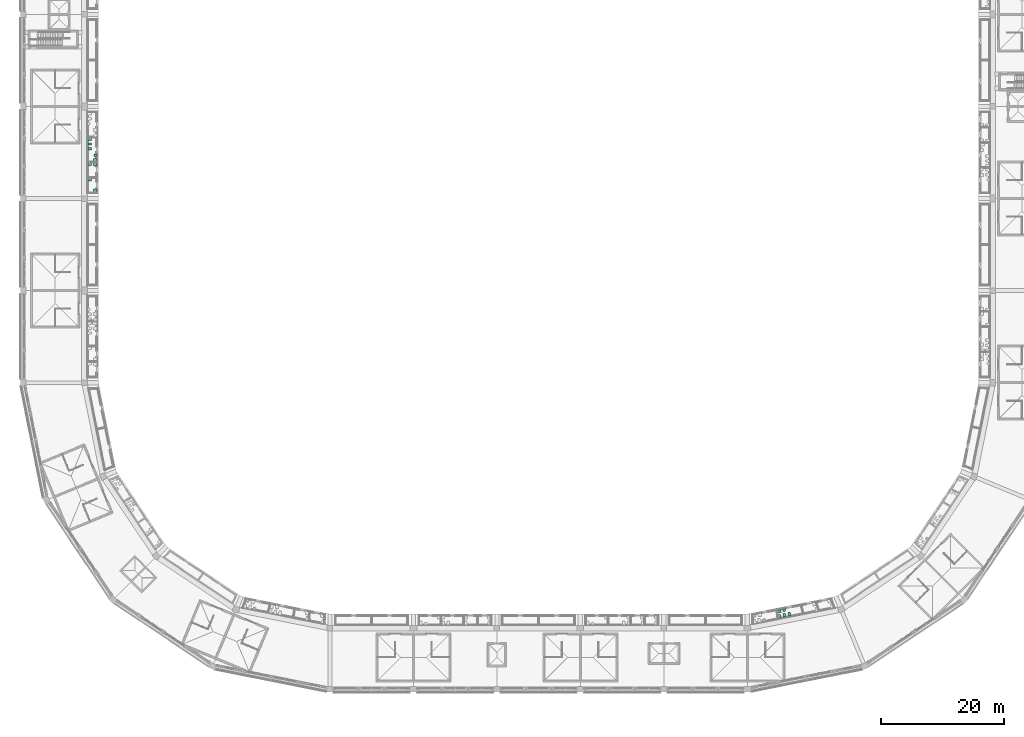
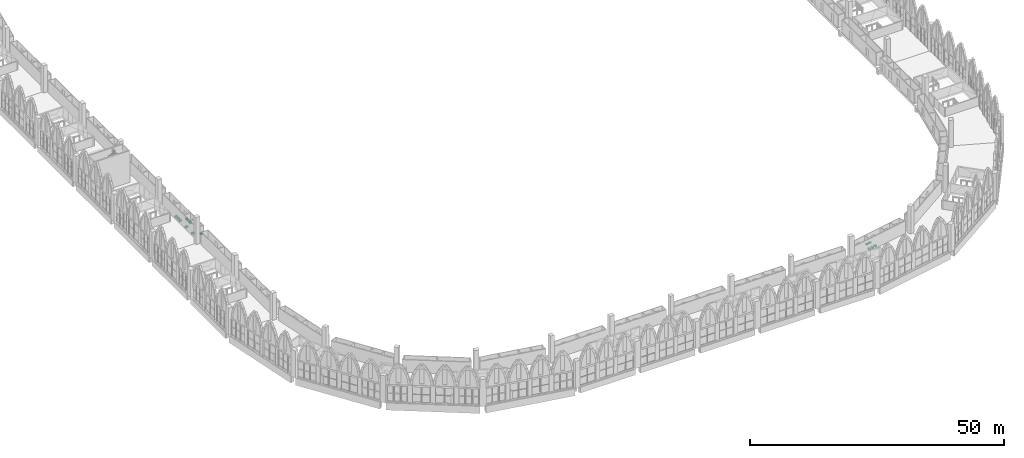
# One storey, part 125 of 130: 14 sanitary terminals.
"""IFC4 building model written with IfcOpenShell, lengths in metres."""

from ifc_helpers import new_model, si_unit, direction, frame, origin, origin_2d, place, context, subcontext, project, spatial, rectangle, extrude, material, type_object, element, save


model = new_model("IFC4")

# Units and contexts
model_context = context("Model", 3, precision=1e-05, world=origin(), true_north=direction((0.0, 1.0)))
body_context = subcontext(model_context, "Body", "Model", "MODEL_VIEW")
ifc_project = project(units=[si_unit("LENGTHUNIT", "METRE"), si_unit("AREAUNIT", "SQUARE_METRE"), si_unit("VOLUMEUNIT", "CUBIC_METRE"), si_unit("PLANEANGLEUNIT", "RADIAN"), si_unit("MASSUNIT", "GRAM", prefix="KILO")], contexts=[model_context])

# Site, building, storey
site_placement = place(None, origin())
site = spatial("IfcSite", under=ifc_project, at=site_placement, CompositionType="ELEMENT")
building_placement = place(site_placement, origin())
building = spatial("IfcBuilding", under=site, at=building_placement, Name="Ogive Plaza Stadium", CompositionType="ELEMENT")
storey_placement = place(building_placement, frame((0.0, 0.0, 22.5)))
storey = spatial("IfcBuildingStorey", under=building, at=storey_placement, Name="L05", CompositionType="ELEMENT", Elevation=22.5)

# Sanitary terminals
ifc_material_1 = material(Name="Vitreous china", Category="ceramic")
sanitary_terminal_type_1 = type_object("IfcSanitaryTerminalType", Name="Drinking fountain", PredefinedType="SANITARYFOUNTAIN", material=ifc_material_1)
for number, where, z_axis, x_axis, name in (
    (1, (40.01220703125, -89.5830078125, 0.7998046875), (0.0, 0.0, 1.0), (0.980785280403, 0.195090322016, 0.0), "Drinking fountain L05-032"),
    (2, (-72.27490234375, -15.43408203125, 0.7998046875), (0.0, 0.0, 1.0), (0.0, 1.0, 0.0), "Drinking fountain L05-068"),
):
    element("IfcSanitaryTerminal", number, at=place(storey_placement, frame(where, z_axis=z_axis, x_axis=x_axis)), inside=storey, type_object=sanitary_terminal_type_1, Name=name, PredefinedType="SANITARYFOUNTAIN", context=body_context, shape_type="SweptSolid", body=[
        extrude(rectangle(XDim=0.449951171875, YDim=0.39990234375, at=origin_2d()), origin(), (0.0, 0.0, 1.0), 0.199951171875),
    ])
ifc_material_2 = material(Name="Vitreous china", Category="ceramic")
sanitary_terminal_type_2 = type_object("IfcSanitaryTerminalType", Name="Lavatory", PredefinedType="WASHHANDBASIN", material=ifc_material_2)
for number, where, z_axis, x_axis, name in (
    (3, (39.2568359375, -89.7587890625, 0.7998046875), (0.0, 0.0, 1.0), (0.980785280403, 0.195090322016, 0.0), "Lavatory L05-032"),
    (4, (-72.300048828125, -16.208984375, 0.7998046875), (0.0, 0.0, 1.0), (0.0, 1.0, 0.0), "Lavatory L05-068"),
    (5, (-72.300048828125, -16.958984375, 0.7998046875), (0.0, 0.0, 1.0), (0.0, -1.0, 0.0), "Lavatory L05-069"),
    (6, (-72.300048828125, -21.22509765625, 0.7998046875), (0.0, 0.0, 1.0), (0.0, 1.0, 0.0), "Lavatory L05-070"),
):
    element("IfcSanitaryTerminal", number, at=place(storey_placement, frame(where, z_axis=z_axis, x_axis=x_axis)), inside=storey, type_object=sanitary_terminal_type_2, Name=name, PredefinedType="WASHHANDBASIN", context=body_context, shape_type="SweptSolid", body=[
        extrude(rectangle(XDim=0.5, YDim=0.449951171875, at=origin_2d()), origin(), (0.0, 0.0, 1.0), 0.199951171875),
    ])
ifc_material_3 = material(Name="Vitreous china", Category="ceramic")
sanitary_terminal_type_3 = type_object("IfcSanitaryTerminalType", Name="Water closet", PredefinedType="TOILETPAN", material=ifc_material_3)
for number, where, z_axis, x_axis, name in (
    (7, (39.27978515625, -90.56884765625, 0.0), (0.0, 0.0, 1.0), (0.980785280403, 0.195090322016, 0.0), "Water closet L05-032"),
    (8, (40.064453125, -90.412841796875, 0.0), (0.0, 0.0, 1.0), (0.980785280403, 0.195090322016, 0.0), "Water closet L05-032"),
    (9, (40.84912109375, -90.2568359375, 0.0), (0.0, 0.0, 1.0), (0.980785280403, 0.195090322016, 0.0), "Water closet L05-032"),
    (10, (-73.125, -12.81689453125, 0.0), (0.0, 0.0, 1.0), (0.0, -1.0, 0.0), "Water closet L05-068"),
    (11, (-73.125, -13.616943359375, 0.0), (0.0, 0.0, 1.0), (0.0, -1.0, 0.0), "Water closet L05-068"),
    (12, (-73.125, -14.4169921875, 0.0), (0.0, 0.0, 1.0), (0.0, -1.0, 0.0), "Water closet L05-068"),
    (13, (-73.125, -16.908935546875, 0.0), (0.0, 0.0, 1.0), (0.0, -1.0, 0.0), "Water closet L05-069"),
    (14, (-73.125, -19.4169921875, 0.0), (0.0, 0.0, 1.0), (0.0, -1.0, 0.0), "Water closet L05-070"),
):
    element("IfcSanitaryTerminal", number, at=place(storey_placement, frame(where, z_axis=z_axis, x_axis=x_axis)), inside=storey, type_object=sanitary_terminal_type_3, Name=name, PredefinedType="TOILETPAN", context=body_context, shape_type="SweptSolid", body=[
        extrude(rectangle(XDim=0.39990234375, YDim=0.60009765625, at=origin_2d()), origin(), (0.0, 0.0, 1.0), 0.39990234375),
    ])

save(model, "model.ifc")
